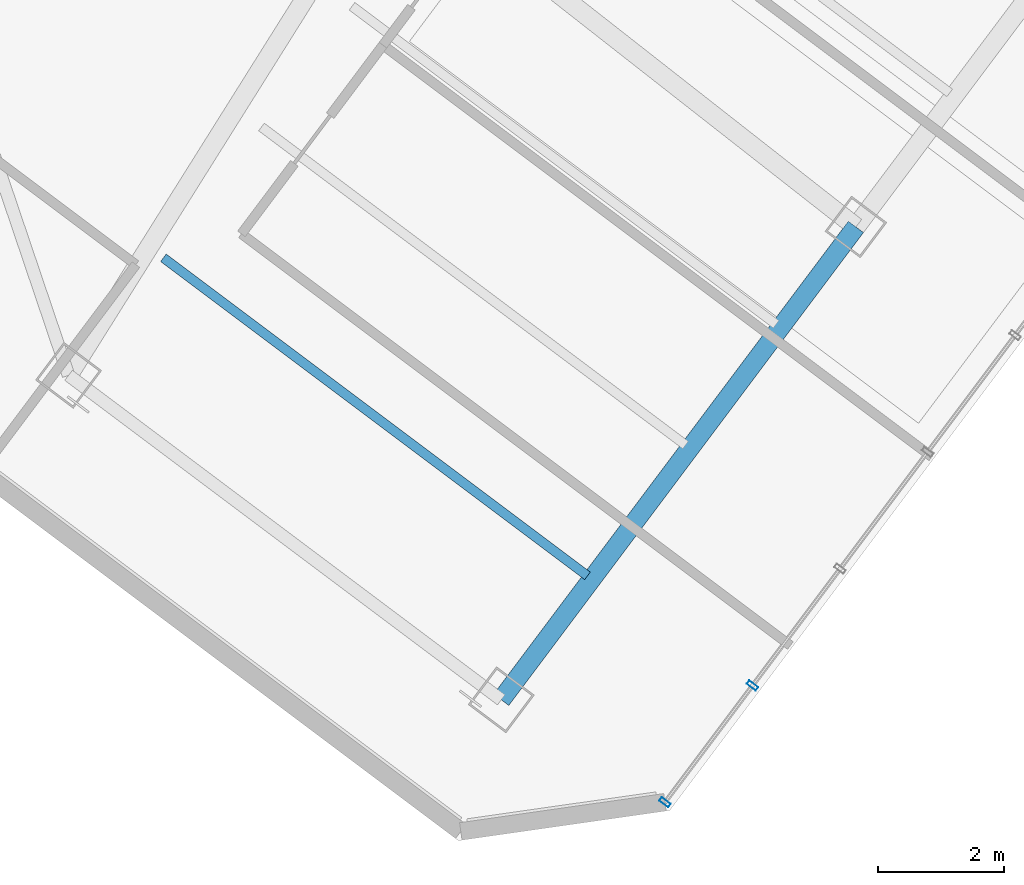
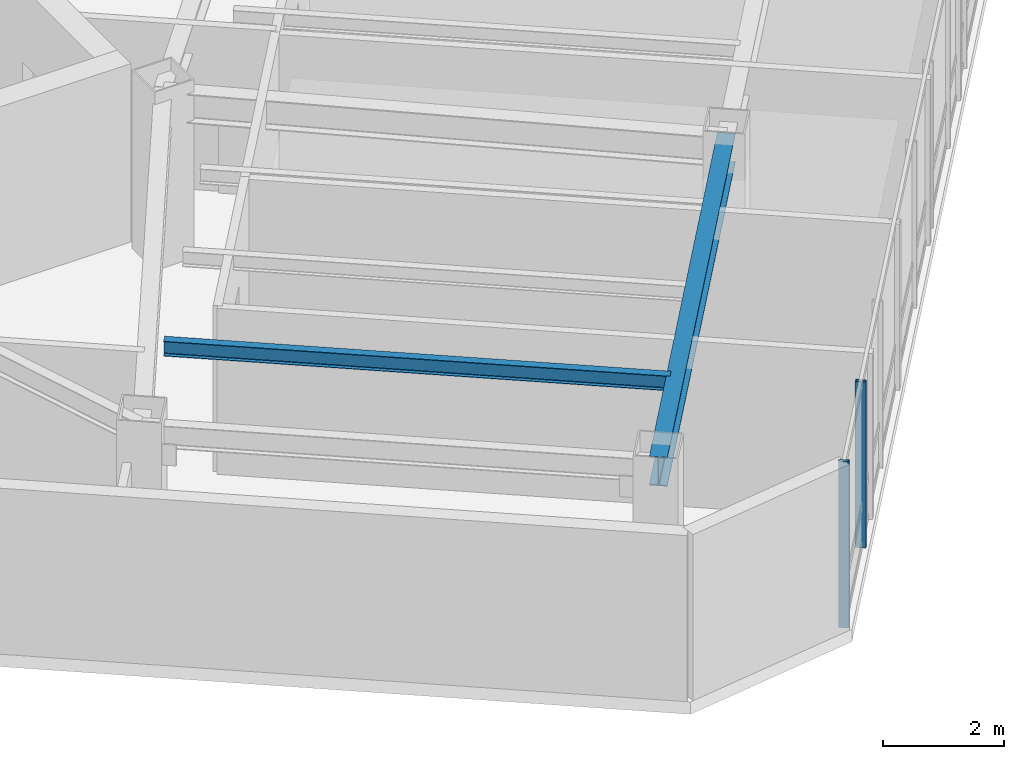
# One storey, part 2 of 26: 2 beams, 2 members, 1 element without a shape of its own.
"""IFC4 building model written with IfcOpenShell, lengths in metres."""

from ifc_helpers import new_model, si_unit, direction, frame, origin, origin_2d, place, context, subcontext, project, spatial, hollow_rectangle, i_section, extrude, material, layer, layer_set, material_profile, profile_set, type_object, element, aggregate, save


model = new_model("IFC4")

# Units and contexts
model_context = context("Model", 3, precision=1e-05, world=origin(), true_north=direction((0.0, 1.0)))
body_context = subcontext(model_context, "Body", "Model", "MODEL_VIEW")
ifc_project = project(units=[si_unit("LENGTHUNIT", "METRE"), si_unit("AREAUNIT", "SQUARE_METRE"), si_unit("VOLUMEUNIT", "CUBIC_METRE"), si_unit("PLANEANGLEUNIT", "RADIAN"), si_unit("MASSUNIT", "GRAM", prefix="KILO")], contexts=[model_context])

# Site, building, storey
site_placement = place(None, origin())
site = spatial("IfcSite", under=ifc_project, at=site_placement, CompositionType="ELEMENT")
building_placement = place(site_placement, origin())
building = spatial("IfcBuilding", under=site, at=building_placement, Name="Hatsunagi Terrace Concourse", CompositionType="ELEMENT")
storey_placement = place(building_placement, frame((0.0, 0.0, 209.550048828125)))
storey = spatial("IfcBuildingStorey", under=building, at=storey_placement, Name="L55", CompositionType="ELEMENT", Elevation=209.550048828125)

# Curtain wall, members
ifc_material_1 = material(Name="Anodised Aluminium Alloy 6063-T5", Category="aluminium")
ifc_layer = layer(ifc_material_1, 0.199951171875)
ifc_layer_set = layer_set([ifc_layer], Name="OfficeZone2_CW04")
curtain_wall_type = type_object("IfcCurtainWallType", Name="OfficeZone2_CW04", PredefinedType="NOTDEFINED", material=ifc_layer_set)
curtain_wall_placement = place(storey_placement, origin())
curtain_wall = element("IfcCurtainWall", 1, at=curtain_wall_placement, inside=storey, type_object=curtain_wall_type, Name="Unitised Curtain Wall CW-04 CW-L55-03", PredefinedType="NOTDEFINED")
ifc_material_2 = material(Name="Anodised Aluminium Alloy 6063-T5", Category="aluminium")
ifc_material_profile_1 = material_profile(ifc_material_2, hollow_rectangle(XDim=0.070068359375, YDim=0.179931640625, WallThickness=0.00390625, at=origin_2d()), Name="ALU-MUL-180x70x4")
ifc_profile_set_1 = profile_set([ifc_material_profile_1], Name="Anodised Aluminium Alloy 6063-T5")
member_type = type_object("IfcMemberType", Name="CurtainWallMullion_180x70", PredefinedType="MULLION", material=ifc_profile_set_1)
member_1_placement = place(storey_placement, frame((49.554931640625, 11.10595703125, 0.0), z_axis=(0.0, 0.0, 1.0), x_axis=(-0.599969314634, -0.800023013105, 0.0)))
member_1 = element("IfcMember", 2, at=member_1_placement, type_object=member_type, Name="Curtain Wall Mullion MUL-02", PredefinedType="MULLION", context=body_context, shape_type="SweptSolid", body=[
    extrude(hollow_rectangle(XDim=0.070068359375, YDim=0.179931640625, WallThickness=0.00390625, at=origin_2d()), origin(), (0.0, 0.0, 1.0), 3.349853515625),
])
member_2_placement = place(storey_placement, frame((48.1630859375, 9.25, 0.0), z_axis=(0.0, 0.0, 1.0), x_axis=(-0.599969314634, -0.800023013105, 0.0)))
member_2 = element("IfcMember", 3, at=member_2_placement, type_object=member_type, Name="Curtain Wall Mullion MUL-02", PredefinedType="MULLION", context=body_context, shape_type="SweptSolid", body=[
    extrude(hollow_rectangle(XDim=0.070068359375, YDim=0.179931640625, WallThickness=0.00390625, at=origin_2d()), origin(), (0.0, 0.0, 1.0), 3.349853515625),
])
aggregate(curtain_wall, [member_1, member_2])

# Beams
ifc_material_3 = material(Name="Steel SN490B", Category="steel")
ifc_material_profile_2 = material_profile(ifc_material_3, i_section(OverallWidth=0.300048828125, OverallDepth=0.587890625, WebThickness=0.011962890625, FlangeThickness=0.02001953125, FilletRadius=0.01806640625, at=origin_2d()), Name="H-588x300x12x20")
ifc_profile_set_2 = profile_set([ifc_material_profile_2], Name="Steel SN490B")
beam_type_1 = type_object("IfcBeamType", Name="OfficeHighGirder_H_588x300", PredefinedType="BEAM", material=ifc_profile_set_2)
beam_1_placement = place(storey_placement, frame((45.56005859375, 10.8798828125, 3.055908203125), z_axis=(0.599991688754, 0.800006233367, 0.0), x_axis=(-0.800006233367, 0.599991688754, 0.0)))
element("IfcBeam", 4, at=beam_1_placement, inside=storey, type_object=beam_type_1, Name="Beam G-06 BM-L55-SET-2A", PredefinedType="BEAM", context=body_context, shape_type="SweptSolid", body=[
    extrude(i_section(OverallWidth=0.300048828125, OverallDepth=0.587890625, WebThickness=0.011962890625, FlangeThickness=0.02001953125, FilletRadius=0.01806640625, at=origin_2d()), origin(), (0.0, 0.0, 1.0), 9.39990234375),
])
ifc_material_4 = material(Name="Steel SN490B", Category="steel")
ifc_material_profile_3 = material_profile(ifc_material_4, i_section(OverallWidth=0.14990234375, OverallDepth=0.300048828125, WebThickness=0.006591796875, FlangeThickness=0.009033203125, FilletRadius=0.010986328125, at=origin_2d()), Name="H-300x150x6.5x9")
ifc_profile_set_3 = profile_set([ifc_material_profile_3], Name="Steel SN490B")
beam_type_2 = type_object("IfcBeamType", Name="OfficeJoist_H_300x150", PredefinedType="JOIST", material=ifc_profile_set_3)
beam_2_placement = place(storey_placement, frame((40.18798828125, 17.908935546875, 3.199951171875), z_axis=(0.800003475366, -0.59999536615, 0.0), x_axis=(0.59999536615, 0.800003475366, 0.0)))
element("IfcBeam", 5, at=beam_2_placement, inside=storey, type_object=beam_type_2, Name="Beam J-03 J-L55-SE-2-46", PredefinedType="JOIST", context=body_context, shape_type="SweptSolid", body=[
    extrude(i_section(OverallWidth=0.14990234375, OverallDepth=0.300048828125, WebThickness=0.006591796875, FlangeThickness=0.009033203125, FilletRadius=0.010986328125, at=origin_2d()), origin(), (0.0, 0.0, 1.0), 8.429931640625),
])

save(model, "model.ifc")
